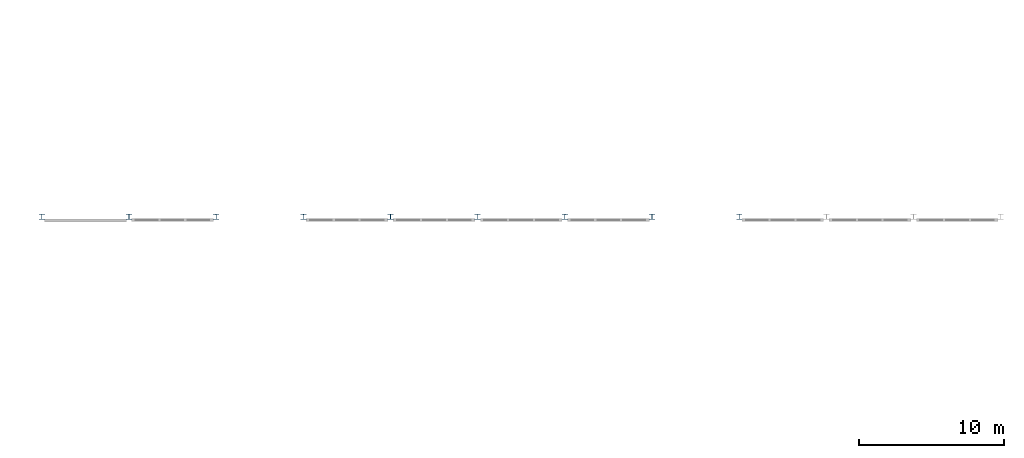
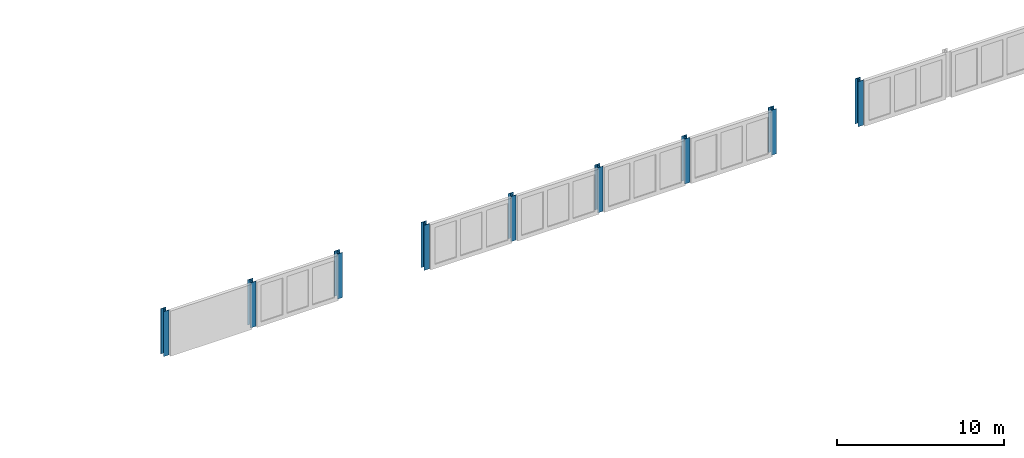
# One storey, part 3 of 199: 9 columns.
"""IFC4 building model written with IfcOpenShell, lengths in metres."""

from ifc_helpers import new_model, si_unit, direction, frame, origin, origin_2d, place, context, subcontext, project, spatial, i_section, extrude, material, material_profile, profile_set, type_object, element, save


model = new_model("IFC4")

# Units and contexts
model_context = context("Model", 3, precision=1e-05, world=origin(), true_north=direction((0.0, 1.0)))
body_context = subcontext(model_context, "Body", "Model", "MODEL_VIEW")
ifc_project = project(units=[si_unit("LENGTHUNIT", "METRE"), si_unit("AREAUNIT", "SQUARE_METRE"), si_unit("VOLUMEUNIT", "CUBIC_METRE"), si_unit("PLANEANGLEUNIT", "RADIAN"), si_unit("MASSUNIT", "GRAM", prefix="KILO")], contexts=[model_context])

# Site, building, storey
site_placement = place(None, origin())
site = spatial("IfcSite", under=ifc_project, at=site_placement, CompositionType="ELEMENT")
building_placement = place(site_placement, origin())
building = spatial("IfcBuilding", under=site, at=building_placement, Name="Parallax Yard Mobility Hub", CompositionType="ELEMENT")
storey_placement = place(building_placement, frame((0.0, 0.0, 9.89990234375)))
storey = spatial("IfcBuildingStorey", under=building, at=storey_placement, Name="L03", CompositionType="ELEMENT", Elevation=9.89990234375)

# Columns
ifc_material = material(Name="Steel ASTM A992", Category="steel")
ifc_material_profile = material_profile(ifc_material, i_section(OverallWidth=0.373046875, OverallDepth=0.367919921875, WebThickness=0.014892578125, FlangeThickness=0.02392578125, FilletRadius=0.01513671875, at=origin_2d()), Name="W360x179")
ifc_profile_set = profile_set([ifc_material_profile], Name="Steel ASTM A992")
column_type = type_object("IfcColumnType", Name="W360x179 column", PredefinedType="COLUMN", material=ifc_profile_set)
for number, where, z_axis, x_axis, name in (
    (1, (9.0, 52.5, 0.0), (0.0, 0.0, 1.0), (1.0, 0.0, 0.0), "Valley column F1 north level L03"),
    (2, (15.0, 52.5, 0.0), (0.0, 0.0, 1.0), (1.0, 0.0, 0.0), "Ridge column F2 north level L03"),
    (3, (21.0, 52.5, 0.0), (0.0, 0.0, 1.0), (1.0, 0.0, 0.0), "Valley column F3 north level L03"),
    (4, (27.0, 52.5, 0.0), (0.0, 0.0, 1.0), (1.0, 0.0, 0.0), "Ridge column F4 north level L03"),
    (5, (33.0, 52.5, 0.0), (0.0, 0.0, 1.0), (1.0, 0.0, 0.0), "Valley column F5 north level L03"),
    (6, (39.0, 52.5, 0.0), (0.0, 0.0, 1.0), (1.0, 0.0, 0.0), "Ridge column F6 north level L03"),
    (7, (45.0, 52.5, 0.0), (0.0, 0.0, 1.0), (1.0, 0.0, 0.0), "Valley column F7 north level L03"),
    (8, (51.0, 52.5, 0.0), (0.0, 0.0, 1.0), (1.0, 0.0, 0.0), "Ridge column F8 north level L03"),
    (9, (57.0, 52.5, 0.0), (0.0, 0.0, 1.0), (1.0, 0.0, 0.0), "Valley column F9 north level L03"),
):
    element("IfcColumn", number, at=place(storey_placement, frame(where, z_axis=z_axis, x_axis=x_axis)), inside=storey, type_object=column_type, Name=name, PredefinedType="COLUMN", context=body_context, shape_type="SweptSolid", body=[
        extrude(i_section(OverallWidth=0.373046875, OverallDepth=0.367919921875, WebThickness=0.014892578125, FlangeThickness=0.02392578125, FilletRadius=0.01513671875, at=origin_2d()), origin(), (0.0, 0.0, 1.0), 3.300048828125),
    ])

save(model, "model.ifc")
